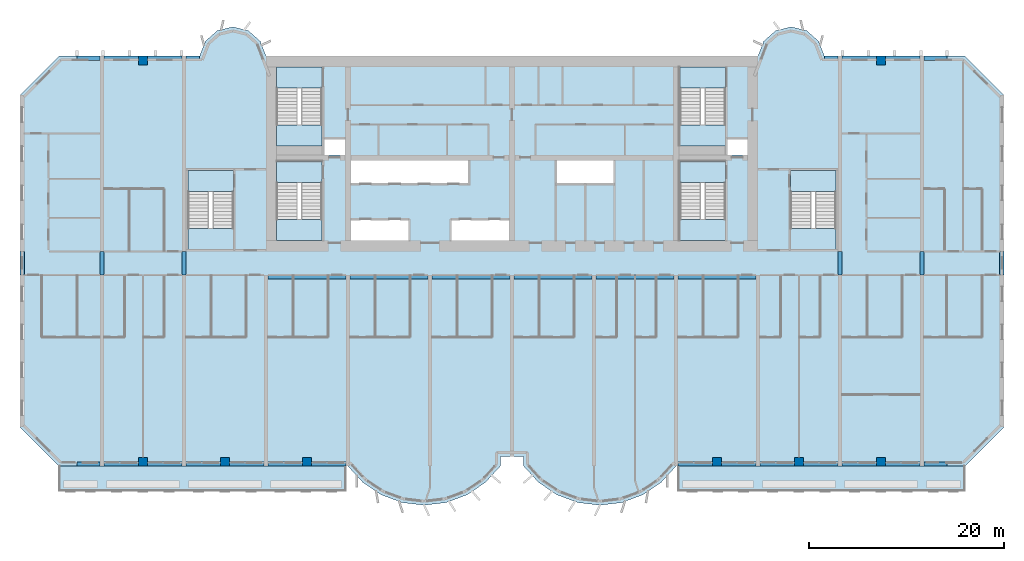
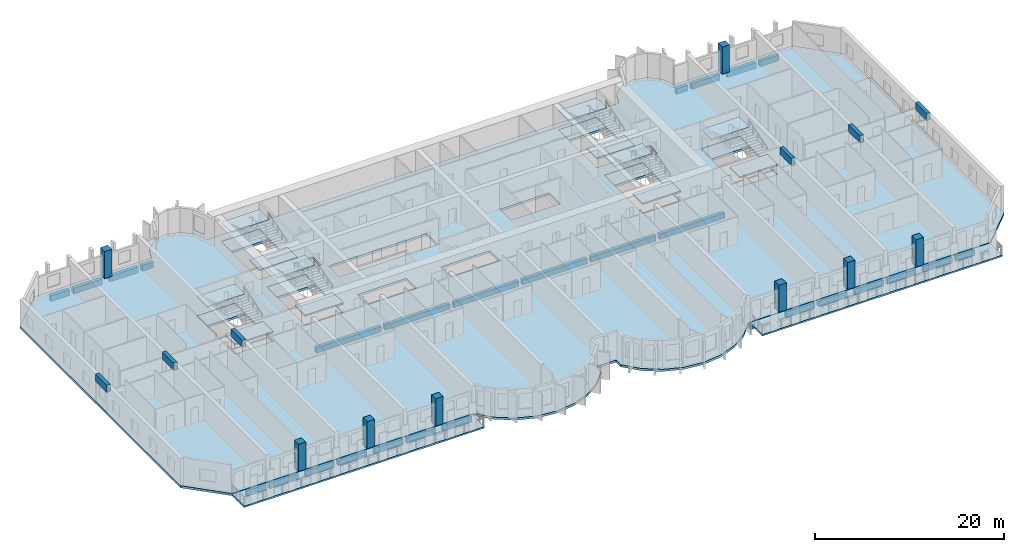
# One storey, part 1 of 15: 34 beams, 21 slabs, 8 columns, 6 elements without a shape of their own.
"""IFC4 building model written with IfcOpenShell, lengths in metres."""

import ifcopenshell
import ifcopenshell.guid

model = None  # the IFC model being written
_history = None  # IfcOwnerHistory: only IFC2X3 demands one
_inside = {}  # id of a spatial element -> (the spatial element, [elements in it])
_under = {}  # id of a project, library or spatial element -> (it, [spatial elements below it])
_declared = {}  # id of a project -> (the project, [libraries it declares])
_typed = {}  # id of a type object -> (the type object, [elements of that type])
_made_of = {}  # id of a material, layer set ... -> (it, [elements and type objects made of it])


def new_model(schema):
    """Start an empty IFC model of exactly this schema.

    Asked for "IFC4X3", IfcOpenShell would pick the latest addendum, in which some entities
    have other attributes; the version numbers below select the first issue.
    IFC2X3 requires an IfcOwnerHistory on every rooted entity: one is made here for all.
    """
    global model, _history
    if schema == "IFC4X3":
        model = ifcopenshell.file(schema_version=(4, 3, 0, 0))
    else:
        model = ifcopenshell.file(schema=schema)
    _inside.clear()
    _under.clear()
    _declared.clear()
    _typed.clear()
    _made_of.clear()
    _history = None
    if model.schema == "IFC2X3":
        org = make("IfcOrganization", Name="unknown")
        user = make(
            "IfcPersonAndOrganization",
            ThePerson=make("IfcPerson", FamilyName="unknown"),
            TheOrganization=org,
        )
        app = make(
            "IfcApplication",
            ApplicationDeveloper=org,
            Version="unknown",
            ApplicationFullName="unknown",
            ApplicationIdentifier="unknown",
        )
        _history = make(
            "IfcOwnerHistory",
            OwningUser=user,
            OwningApplication=app,
            ChangeAction="ADDED",
            CreationDate=0,
        )
    return model


def make(cls, **values):
    """One entity of the class cls with the attributes given. An attribute that is None is left unset."""
    return model.create_entity(
        cls, **{name: value for name, value in values.items() if value is not None}
    )


def rooted(cls, **values):
    """An entity with a GlobalId (a new one), such as an element, a storey or a relation."""
    return make(cls, GlobalId=ifcopenshell.guid.new(), OwnerHistory=_history, **values)


def si_unit(unit_type, name, prefix=None):
    """IfcSIUnit, for example si_unit("LENGTHUNIT", "METRE", prefix="MILLI")."""
    return make("IfcSIUnit", UnitType=unit_type, Prefix=prefix, Name=name)


def assignment(units):
    """IfcUnitAssignment: the units of a project."""
    return None if units is None else make("IfcUnitAssignment", Units=units)


def point(xyz):
    """IfcCartesianPoint."""
    return None if xyz is None else make("IfcCartesianPoint", Coordinates=xyz)


def direction(xyz):
    """IfcDirection."""
    return None if xyz is None else make("IfcDirection", DirectionRatios=xyz)


def frame(location, z_axis=None, x_axis=None):
    """IfcAxis2Placement3D, a coordinate frame: its origin and axes. An axis left out is left unset."""
    return make(
        "IfcAxis2Placement3D",
        Location=point(location),
        Axis=direction(z_axis),
        RefDirection=direction(x_axis),
    )


def frame_2d(location, x_axis=None):
    """IfcAxis2Placement2D, a coordinate frame in the plane: its origin and x axis."""
    return make(
        "IfcAxis2Placement2D", Location=point(location), RefDirection=direction(x_axis)
    )


def origin():
    """The frame at (0, 0, 0) with its axes left unset."""
    return frame((0.0, 0.0, 0.0))


def origin_2d():
    """The frame at (0, 0) in the plane with its x axis left unset."""
    return frame_2d((0.0, 0.0))


def place(relative_to, where):
    """IfcLocalPlacement: puts the frame where relative to a parent placement (None: the world)."""
    return make(
        "IfcLocalPlacement", PlacementRelTo=relative_to, RelativePlacement=where
    )


def context(
    kind, dimensions, precision=None, world=None, true_north=None, identifier=None
):
    """IfcGeometricRepresentationContext, for example the 3D "Model" context."""
    return make(
        "IfcGeometricRepresentationContext",
        ContextIdentifier=identifier,
        ContextType=kind,
        CoordinateSpaceDimension=dimensions,
        Precision=precision,
        WorldCoordinateSystem=world,
        TrueNorth=true_north,
    )


def subcontext(parent, identifier, kind, view, scale=None):
    """IfcGeometricRepresentationSubContext, for example "Body" below "Model"."""
    return make(
        "IfcGeometricRepresentationSubContext",
        ContextIdentifier=identifier,
        ContextType=kind,
        ParentContext=parent,
        TargetScale=scale,
        TargetView=view,
    )


def project(units=None, contexts=None):
    """IfcProject with its units and contexts."""
    return rooted(
        "IfcProject",
        Name="project",
        RepresentationContexts=contexts,
        UnitsInContext=assignment(units),
    )


def spatial(cls, under=None, at=None, **own):
    """A site, building, storey or space (cls), placed at a placement, below another one or the project."""
    s = rooted(cls, ObjectPlacement=at, **own)
    if under is not None:
        _under.setdefault(under.id(), (under, []))[1].append(s)
    return s


def polyline(points):
    """IfcPolyline through the points."""
    return make("IfcPolyline", Points=[point(p) for p in points])


def profile(cls, at=None, kind="AREA", **sizes):
    """A parametric profile (cls). Its sizes go by their IFC names, for example OverallWidth=200.0."""
    return make(cls, ProfileType=kind, Position=at, **sizes)


def rectangle(**sizes):
    """IfcRectangleProfileDef."""
    return profile("IfcRectangleProfileDef", **sizes)


def outline(outer, holes=None, kind="AREA"):
    """IfcArbitraryClosedProfileDef: a profile drawn as a closed curve; with holes, ...WithVoids."""
    if holes is None:
        return make("IfcArbitraryClosedProfileDef", ProfileType=kind, OuterCurve=outer)
    return make(
        "IfcArbitraryProfileDefWithVoids",
        ProfileType=kind,
        OuterCurve=outer,
        InnerCurves=holes,
    )


def extrude(swept, where, along, depth):
    """IfcExtrudedAreaSolid: the profile swept, set in the frame where, extruded along a direction by depth."""
    return make(
        "IfcExtrudedAreaSolid",
        SweptArea=swept,
        Position=where,
        ExtrudedDirection=direction(along),
        Depth=depth,
    )


def shape(context_of_items, identifier, shape_type, items):
    """IfcShapeRepresentation: the items that make up one representation, for example the "Body"."""
    return make(
        "IfcShapeRepresentation",
        ContextOfItems=context_of_items,
        RepresentationIdentifier=identifier,
        RepresentationType=shape_type,
        Items=items,
    )


def source(mapping_origin, context_of_items, identifier, shape_type, items):
    """IfcRepresentationMap: a shape defined once, which mapped items show again and again."""
    return make(
        "IfcRepresentationMap",
        MappingOrigin=mapping_origin,
        MappedRepresentation=shape(context_of_items, identifier, shape_type, items),
    )


def transform(
    local_origin,
    x_axis=None,
    y_axis=None,
    z_axis=None,
    scale=None,
    scale2=None,
    scale3=None,
    uniform=True,
):
    """IfcCartesianTransformationOperator3D, or its non-uniform kind. x_axis, y_axis, z_axis: its Axis1, 2, 3."""
    if uniform:
        return make(
            "IfcCartesianTransformationOperator3D",
            Axis1=direction(x_axis),
            Axis2=direction(y_axis),
            LocalOrigin=point(local_origin),
            Scale=scale,
            Axis3=direction(z_axis),
        )
    return make(
        "IfcCartesianTransformationOperator3DnonUniform",
        Axis1=direction(x_axis),
        Axis2=direction(y_axis),
        LocalOrigin=point(local_origin),
        Scale=scale,
        Axis3=direction(z_axis),
        Scale2=scale2,
        Scale3=scale3,
    )


def mapped(mapping_source, mapping_target):
    """IfcMappedItem: shows the shape of a source again, moved by a transform."""
    return make(
        "IfcMappedItem", MappingSource=mapping_source, MappingTarget=mapping_target
    )


def material(Name=None, Category=None):
    """IfcMaterial."""
    return make("IfcMaterial", Name=Name, Category=Category)


def layer(
    of_material, thickness, ventilated=None, Name=None, Category=None, Priority=None
):
    """IfcMaterialLayer: one layer of a wall or slab, of a material (None: an air gap)."""
    return make(
        "IfcMaterialLayer",
        Material=of_material,
        LayerThickness=thickness,
        IsVentilated=ventilated,
        Name=Name,
        Category=Category,
        Priority=Priority,
    )


def layer_set(layers, Name=None):
    """IfcMaterialLayerSet."""
    return make("IfcMaterialLayerSet", MaterialLayers=layers, LayerSetName=Name)


def material_profile(
    of_material, cross_section, Name=None, Category=None, Priority=None
):
    """IfcMaterialProfile: a cross section and its material."""
    return make(
        "IfcMaterialProfile",
        Name=Name,
        Material=of_material,
        Profile=cross_section,
        Priority=Priority,
        Category=Category,
    )


def profile_set(profiles, Name=None, composite=None):
    """IfcMaterialProfileSet."""
    return make(
        "IfcMaterialProfileSet",
        Name=Name,
        MaterialProfiles=profiles,
        CompositeProfile=composite,
    )


def made_of(thing, what):
    """Note that an element or type object is made of a material, layer set ...; save() writes the relation."""
    if what is not None:
        _made_of.setdefault(what.id(), (what, []))[1].append(thing)
    return thing


def type_object(cls, material=None, **own):
    """A type object (cls), such as IfcWallType, which elements share."""
    return made_of(rooted(cls, **own), material)


def element(
    cls,
    number,
    at=None,
    inside=None,
    cuts=None,
    type_object=None,
    material=None,
    context=None,
    identifier="Body",
    shape_type=None,
    held_by="IfcProductDefinitionShape",
    body=None,
    shapes=None,
    **own,
):
    """One element of the class cls, such as IfcWall. Its Tag is "e" and its number.

    at: its placement. inside: the storey or other place that contains it. cuts: it is an
    opening in that element (IfcRelVoidsElement). A single representation is given by context,
    identifier, shape_type and body (its items); several are given by shapes. held_by: the class
    of the entity that holds the representations. save() writes the other relations.
    """
    e = rooted(cls, Tag="e%d" % number, ObjectPlacement=at, **own)
    if body is not None:
        shapes = [shape(context, identifier, shape_type, body)]
    if shapes is not None:
        e.Representation = make(held_by, Representations=shapes)
    if inside is not None:
        _inside.setdefault(inside.id(), (inside, []))[1].append(e)
    if cuts is not None:
        rooted(
            "IfcRelVoidsElement", RelatingBuildingElement=cuts, RelatedOpeningElement=e
        )
    if type_object is not None:
        _typed.setdefault(type_object.id(), (type_object, []))[1].append(e)
    return made_of(e, material)


def aggregate(whole, parts):
    """IfcRelAggregates: a whole, such as a stair, and the parts it consists of."""
    return rooted("IfcRelAggregates", RelatingObject=whole, RelatedObjects=parts)


def save(model, path):
    """Write the relations noted so far, then the file.

    IfcRelAggregates (storeys below a building ...), IfcRelContainedInSpatialStructure (elements
    in a storey), IfcRelDefinesByType, IfcRelAssociatesMaterial and IfcRelDeclares: one each for
    every whole, place, type object, material and project.
    """
    for whole, parts in _under.values():
        aggregate(whole, parts)
    for where, things in _inside.values():
        rooted(
            "IfcRelContainedInSpatialStructure",
            RelatedElements=things,
            RelatingStructure=where,
        )
    for kind, things in _typed.values():
        rooted("IfcRelDefinesByType", RelatedObjects=things, RelatingType=kind)
    for what, things in _made_of.values():
        rooted("IfcRelAssociatesMaterial", RelatedObjects=things, RelatingMaterial=what)
    for by, libraries in _declared.values():
        rooted("IfcRelDeclares", RelatingContext=by, RelatedDefinitions=libraries)
    model.write(path)


model = new_model("IFC4")

# Units and contexts
model_context = context("Model", 3, precision=1e-05, world=origin(), true_north=direction((0.0, 1.0)))
body_context = subcontext(model_context, "Body", "Model", "MODEL_VIEW")
ifc_project = project(units=[si_unit("LENGTHUNIT", "METRE"), si_unit("AREAUNIT", "SQUARE_METRE"), si_unit("VOLUMEUNIT", "CUBIC_METRE"), si_unit("PLANEANGLEUNIT", "RADIAN"), si_unit("MASSUNIT", "GRAM", prefix="KILO")], contexts=[model_context])

# Site, building, storey
site_placement = place(None, origin())
site = spatial("IfcSite", under=ifc_project, at=site_placement, CompositionType="ELEMENT")
building_placement = place(site_placement, origin())
building = spatial("IfcBuilding", under=site, at=building_placement, Name="Vanashikhar Sky Hotel", CompositionType="ELEMENT")
storey_placement = place(building_placement, frame((0.0, 0.0, 39.199951171875)))
storey = spatial("IfcBuildingStorey", under=building, at=storey_placement, Name="L08", CompositionType="ELEMENT", Elevation=39.199951171875)

# Columns
ifc_material_1 = material(Name="Concrete M70", Category="concrete")
ifc_material_profile_1 = material_profile(ifc_material_1, rectangle(XDim=0.89990234375, YDim=0.89990234375, at=origin_2d()))
ifc_profile_set_1 = profile_set([ifc_material_profile_1], Name="RC 900x900 column Concrete M70")
column_type = type_object("IfcColumnType", Name="RC 900x900 column Concrete M70", PredefinedType="COLUMN", material=ifc_profile_set_1)
shared_shape_1 = source(origin(), body_context, "Body", "SweptSolid", [
    extrude(rectangle(XDim=0.89990234375, YDim=0.89990234375, at=origin_2d()), origin(), (0.0, 0.0, 1.0), 3.52001953125),
])
for number, where, z_axis, x_axis, name in (
    (1, (12.60009765625, 0.449951171875, 0.0), (0.0, 0.0, 1.0), (1.0, 0.0, 0.0), "CL-L08-CF02"),
    (2, (21.0, 0.449951171875, 0.0), (0.0, 0.0, 1.0), (1.0, 0.0, 0.0), "CL-L08-CF03"),
    (3, (29.39990234375, 0.449951171875, 0.0), (0.0, 0.0, 1.0), (1.0, 0.0, 0.0), "CL-L08-CF04"),
    (4, (71.39990234375, 0.449951171875, 0.0), (0.0, 0.0, 1.0), (1.0, 0.0, 0.0), "CL-L08-CF09"),
    (5, (79.800048828125, 0.449951171875, 0.0), (0.0, 0.0, 1.0), (1.0, 0.0, 0.0), "CL-L08-CF10"),
    (6, (88.199951171875, 0.449951171875, 0.0), (0.0, 0.0, 1.0), (1.0, 0.0, 0.0), "CL-L08-CF11"),
    (7, (12.60009765625, 41.550048828125, 0.0), (0.0, 0.0, 1.0), (1.0, 0.0, 0.0), "CL-L08-CR02"),
    (8, (88.199951171875, 41.550048828125, 0.0), (0.0, 0.0, 1.0), (1.0, 0.0, 0.0), "CL-L08-CR11"),
):
    element("IfcColumn", number, at=place(storey_placement, frame(where, z_axis=z_axis, x_axis=x_axis)), inside=storey, type_object=column_type, Name=name, PredefinedType="COLUMN", context=body_context, shape_type="MappedRepresentation", body=[
        mapped(shared_shape_1, transform((0.0, 0.0, 0.0), scale=1.0)),
    ])

# Beams
ifc_material_2 = material(Name="Concrete M50", Category="concrete")
ifc_material_profile_2 = material_profile(ifc_material_2, rectangle(XDim=0.449951171875, YDim=0.89990234375, at=origin_2d()))
ifc_profile_set_2 = profile_set([ifc_material_profile_2], Name="RC 450x900 beam Concrete M50")
beam_type_1 = type_object("IfcBeamType", Name="RC 450x900 beam Concrete M50", PredefinedType="LINTEL", material=ifc_profile_set_2)
shared_shape_2 = source(origin(), body_context, "Body", "SweptSolid", [
    extrude(rectangle(XDim=0.449951171875, YDim=0.89990234375, at=origin_2d()), origin(), (0.0, 0.0, 1.0), 2.39990234375),
])
for number, where, z_axis, x_axis, name in (
    (9, (0.22509765625, 19.60009765625, 3.070068359375), (0.0, 1.0, 0.0), (-1.0, 0.0, 0.0), "LB-L08-XW01"),
    (10, (8.39990234375, 19.60009765625, 3.070068359375), (0.0, 1.0, 0.0), (-1.0, 0.0, 0.0), "LB-L08-XW02"),
    (11, (16.800048828125, 19.60009765625, 3.070068359375), (0.0, 1.0, 0.0), (-1.0, 0.0, 0.0), "LB-L08-XW03"),
    (12, (84.0, 19.60009765625, 3.070068359375), (0.0, 1.0, 0.0), (-1.0, 0.0, 0.0), "LB-L08-XW11"),
    (13, (92.39990234375, 19.60009765625, 3.070068359375), (0.0, 1.0, 0.0), (-1.0, 0.0, 0.0), "LB-L08-XW12"),
    (14, (100.574951171875, 19.60009765625, 3.070068359375), (0.0, 1.0, 0.0), (-1.0, 0.0, 0.0), "LB-L08-XW13"),
):
    element("IfcBeam", number, at=place(storey_placement, frame(where, z_axis=z_axis, x_axis=x_axis)), inside=storey, type_object=beam_type_1, Name=name, PredefinedType="LINTEL", context=body_context, shape_type="MappedRepresentation", body=[
        mapped(shared_shape_2, transform((0.0, 0.0, 0.0), scale=1.0)),
    ])
ifc_material_profile_3 = material_profile(ifc_material_2, rectangle(XDim=0.449951171875, YDim=0.75, at=origin_2d()))
ifc_profile_set_3 = profile_set([ifc_material_profile_3], Name="RC 450x750 beam Concrete M50")
beam_type_2 = type_object("IfcBeamType", Name="RC 450x750 beam Concrete M50", PredefinedType="SPANDREL", material=ifc_profile_set_3)
shared_shape_3 = source(origin(), body_context, "Body", "SweptSolid", [
    extrude(rectangle(XDim=0.449951171875, YDim=0.75, at=origin_2d()), origin(), (0.0, 0.0, 1.0), 3.52490234375),
])
for number, where, z_axis, x_axis, name in (
    (15, (8.625, 0.22509765625, -0.655029296875), (1.0, 0.0, 0.0), (0.0, 1.0, 0.0), "EB-L08-F01"),
    (16, (13.050048828125, 0.22509765625, -0.655029296875), (1.0, 0.0, 0.0), (0.0, 1.0, 0.0), "EB-L08-F02"),
    (17, (25.425048828125, 0.22509765625, -0.655029296875), (1.0, 0.0, 0.0), (0.0, 1.0, 0.0), "EB-L08-F05"),
    (18, (29.85009765625, 0.22509765625, -0.655029296875), (1.0, 0.0, 0.0), (0.0, 1.0, 0.0), "EB-L08-F06"),
    (19, (67.425048828125, 0.22509765625, -0.655029296875), (1.0, 0.0, 0.0), (0.0, 1.0, 0.0), "EB-L08-F08"),
    (20, (71.85009765625, 0.22509765625, -0.655029296875), (1.0, 0.0, 0.0), (0.0, 1.0, 0.0), "EB-L08-F09"),
    (21, (80.25, 0.22509765625, -0.655029296875), (1.0, 0.0, 0.0), (0.0, 1.0, 0.0), "EB-L08-F11"),
    (22, (84.22509765625, 0.22509765625, -0.655029296875), (1.0, 0.0, 0.0), (0.0, 1.0, 0.0), "EB-L08-F12"),
    (23, (8.625, 41.77490234375, -0.655029296875), (1.0, 0.0, 0.0), (0.0, 1.0, 0.0), "EB-L08-R01"),
    (24, (13.050048828125, 41.77490234375, -0.655029296875), (1.0, 0.0, 0.0), (0.0, 1.0, 0.0), "EB-L08-R02"),
    (25, (84.22509765625, 41.77490234375, -0.655029296875), (1.0, 0.0, 0.0), (0.0, 1.0, 0.0), "EB-L08-R05"),
):
    element("IfcBeam", number, at=place(storey_placement, frame(where, z_axis=z_axis, x_axis=x_axis)), inside=storey, type_object=beam_type_2, Name=name, PredefinedType="SPANDREL", context=body_context, shape_type="MappedRepresentation", body=[
        mapped(shared_shape_3, transform((0.0, 0.0, 0.0), scale=1.0)),
    ])
shared_shape_4 = source(origin(), body_context, "Body", "SweptSolid", [
    extrude(rectangle(XDim=0.449951171875, YDim=0.75, at=origin_2d()), origin(), (0.0, 0.0, 1.0), 3.525146484375),
])
for number, where, z_axis, x_axis, name in (
    (26, (17.02490234375, 0.22509765625, -0.655029296875), (1.0, 0.0, 0.0), (0.0, 1.0, 0.0), "EB-L08-F03"),
    (27, (21.449951171875, 0.22509765625, -0.655029296875), (1.0, 0.0, 0.0), (0.0, 1.0, 0.0), "EB-L08-F04"),
    (28, (75.824951171875, 0.22509765625, -0.655029296875), (1.0, 0.0, 0.0), (0.0, 1.0, 0.0), "EB-L08-F10"),
    (29, (88.64990234375, 0.22509765625, -0.655029296875), (1.0, 0.0, 0.0), (0.0, 1.0, 0.0), "EB-L08-F13"),
    (30, (88.64990234375, 41.77490234375, -0.655029296875), (1.0, 0.0, 0.0), (0.0, 1.0, 0.0), "EB-L08-R06"),
):
    element("IfcBeam", number, at=place(storey_placement, frame(where, z_axis=z_axis, x_axis=x_axis)), inside=storey, type_object=beam_type_2, Name=name, PredefinedType="SPANDREL", context=body_context, shape_type="MappedRepresentation", body=[
        mapped(shared_shape_4, transform((0.0, 0.0, 0.0), scale=1.0)),
    ])
ifc_material_profile_4 = material_profile(ifc_material_2, rectangle(XDim=0.449951171875, YDim=0.75, at=origin_2d()))
ifc_profile_set_4 = profile_set([ifc_material_profile_4], Name="RC 450x750 cantilever beam Concrete M50")
beam_type_3 = type_object("IfcBeamType", Name="RC 450x750 cantilever beam Concrete M50", PredefinedType="SPANDREL", material=ifc_profile_set_4)
shared_shape_5 = source(origin(), body_context, "Body", "SweptSolid", [
    extrude(rectangle(XDim=0.449951171875, YDim=0.75, at=origin_2d()), origin(), (0.0, 0.0, 1.0), 2.330078125),
])
for number, where, z_axis, x_axis, name in (
    (31, (5.844970703125, 0.22509765625, -0.655029296875), (1.0, 0.0, 0.0), (0.0, 1.0, 0.0), "EB-L08-F07"),
    (32, (92.625, 0.22509765625, -0.655029296875), (1.0, 0.0, 0.0), (0.0, 1.0, 0.0), "EB-L08-F14"),
    (33, (5.844970703125, 41.77490234375, -0.655029296875), (1.0, 0.0, 0.0), (0.0, 1.0, 0.0), "EB-L08-R03"),
    (34, (92.625, 41.77490234375, -0.655029296875), (1.0, 0.0, 0.0), (0.0, 1.0, 0.0), "EB-L08-R08"),
):
    element("IfcBeam", number, at=place(storey_placement, frame(where, z_axis=z_axis, x_axis=x_axis)), inside=storey, type_object=beam_type_3, Name=name, PredefinedType="SPANDREL", context=body_context, shape_type="MappedRepresentation", body=[
        mapped(shared_shape_5, transform((0.0, 0.0, 0.0), scale=1.0)),
    ])
shared_shape_6 = source(origin(), body_context, "Body", "SweptSolid", [
    extrude(rectangle(XDim=0.449951171875, YDim=0.75, at=origin_2d()), origin(), (0.0, 0.0, 1.0), 1.375),
])
for number, where, z_axis, x_axis, name in (
    (35, (17.02490234375, 41.77490234375, -0.655029296875), (1.0, 0.0, 0.0), (0.0, 1.0, 0.0), "EB-L08-R04"),
    (36, (82.39990234375, 41.77490234375, -0.655029296875), (1.0, 0.0, 0.0), (0.0, 1.0, 0.0), "EB-L08-R07"),
):
    element("IfcBeam", number, at=place(storey_placement, frame(where, z_axis=z_axis, x_axis=x_axis)), inside=storey, type_object=beam_type_3, Name=name, PredefinedType="SPANDREL", context=body_context, shape_type="MappedRepresentation", body=[
        mapped(shared_shape_6, transform((0.0, 0.0, 0.0), scale=1.0)),
    ])
ifc_material_profile_5 = material_profile(ifc_material_2, rectangle(XDim=0.449951171875, YDim=0.699951171875, at=origin_2d()))
ifc_profile_set_5 = profile_set([ifc_material_profile_5], Name="RC 450x700 beam Concrete M50")
beam_type_4 = type_object("IfcBeamType", Name="RC 450x700 beam Concrete M50", PredefinedType="BEAM", material=ifc_profile_set_5)
shared_shape_7 = source(origin(), body_context, "Body", "SweptSolid", [
    extrude(rectangle(XDim=0.449951171875, YDim=0.699951171875, at=origin_2d()), origin(), (0.0, 0.0, 1.0), 7.949951171875),
])
for number, where, z_axis, x_axis, name in (
    (37, (25.425048828125, 19.375, -0.6298828125), (1.0, 0.0, 0.0), (0.0, 1.0, 0.0), "CB-L08-01"),
    (38, (33.824951171875, 19.375, -0.6298828125), (1.0, 0.0, 0.0), (0.0, 1.0, 0.0), "CB-L08-02"),
    (39, (42.22509765625, 19.375, -0.6298828125), (1.0, 0.0, 0.0), (0.0, 1.0, 0.0), "CB-L08-03"),
    (40, (50.625, 19.375, -0.6298828125), (1.0, 0.0, 0.0), (0.0, 1.0, 0.0), "CB-L08-04"),
    (41, (67.425048828125, 19.375, -0.6298828125), (1.0, 0.0, 0.0), (0.0, 1.0, 0.0), "CB-L08-06"),
):
    element("IfcBeam", number, at=place(storey_placement, frame(where, z_axis=z_axis, x_axis=x_axis)), inside=storey, type_object=beam_type_4, Name=name, PredefinedType="BEAM", context=body_context, shape_type="MappedRepresentation", body=[
        mapped(shared_shape_7, transform((0.0, 0.0, 0.0), scale=1.0)),
    ])
shared_shape_8 = source(origin(), body_context, "Body", "SweptSolid", [
    extrude(rectangle(XDim=0.449951171875, YDim=0.699951171875, at=origin_2d()), origin(), (0.0, 0.0, 1.0), 7.9501953125),
])
beam_placement = place(storey_placement, frame((59.02490234375, 19.375, -0.6298828125), z_axis=(1.0, 0.0, 0.0), x_axis=(0.0, 1.0, 0.0)))
element("IfcBeam", 42, at=beam_placement, inside=storey, type_object=beam_type_4, Name="CB-L08-05", PredefinedType="BEAM", context=body_context, shape_type="MappedRepresentation", body=[
    mapped(shared_shape_8, transform((0.0, 0.0, 0.0), scale=1.0)),
])

# Slabs
ifc_material_3 = material(Name="Concrete M40", Category="concrete")
ifc_layer_1 = layer(ifc_material_3, 0.280029296875)
ifc_layer_set_1 = layer_set([ifc_layer_1], Name="Floor slab 280 mm")
slab_type_1 = type_object("IfcSlabType", Name="Floor slab 280 mm", PredefinedType="FLOOR", material=ifc_layer_set_1)
shared_shape_9 = source(origin(), body_context, "Body", "SweptSolid", [
    extrude(outline(polyline([(49.199951171875, 0.0), (49.199951171875, 1.0), (51.60009765625, 1.0), (51.60009765625, 0.0), (53.133056640625, -1.674072265625), (55.01708984375, -2.94189453125), (57.14599609375, -3.73193359375), (59.39990234375, -4.0), (61.654052734375, -3.73193359375), (63.782958984375, -2.94189453125), (65.6669921875, -1.674072265625), (67.199951171875, 0.0), (96.800048828125, 0.0), (100.800048828125, 4.0), (100.800048828125, 38.0), (96.800048828125, 42.0), (82.39990234375, 42.0), (81.81494140625, 43.527099609375), (80.587890625, 44.610107421875), (79.0, 45.0), (77.412109375, 44.610107421875), (76.18505859375, 43.527099609375), (75.60009765625, 42.0), (25.199951171875, 42.0), (24.614990234375, 43.527099609375), (23.387939453125, 44.610107421875), (21.800048828125, 45.0), (20.2119140625, 44.610107421875), (18.985107421875, 43.527099609375), (18.39990234375, 42.0), (4.0, 42.0), (0.0, 38.0), (0.0, 4.0), (4.0, 0.0), (33.60009765625, 0.0), (35.133056640625, -1.674072265625), (37.01708984375, -2.94189453125), (39.14599609375, -3.73193359375), (41.39990234375, -4.0), (43.654052734375, -3.73193359375), (45.782958984375, -2.94189453125), (47.6669921875, -1.674072265625), (49.199951171875, 0.0)]), holes=[polyline([(33.300048828125, 33.60009765625), (31.050048828125, 33.60009765625), (31.050048828125, 31.89990234375), (33.300048828125, 31.89990234375), (33.300048828125, 33.60009765625)]), polyline([(33.89990234375, 25.199951171875), (33.89990234375, 23.10009765625), (39.89990234375, 23.10009765625), (39.89990234375, 25.199951171875), (33.89990234375, 25.199951171875)]), polyline([(33.89990234375, 31.300048828125), (33.89990234375, 29.0), (45.89990234375, 29.0), (45.89990234375, 31.300048828125), (33.89990234375, 31.300048828125)]), polyline([(44.10009765625, 25.199951171875), (44.10009765625, 23.10009765625), (50.10009765625, 23.10009765625), (50.10009765625, 25.199951171875), (44.10009765625, 25.199951171875)]), polyline([(54.89990234375, 31.300048828125), (54.89990234375, 29.0), (60.89990234375, 29.0), (60.89990234375, 31.300048828125), (54.89990234375, 31.300048828125)]), polyline([(74.5, 33.60009765625), (72.35009765625, 33.60009765625), (72.35009765625, 31.89990234375), (74.5, 31.89990234375), (74.5, 33.60009765625)]), polyline([(30.949951171875, 23.10009765625), (30.949951171875, 31.199951171875), (26.300048828125, 31.199951171875), (26.300048828125, 23.10009765625), (30.949951171875, 23.10009765625)]), polyline([(72.25, 23.10009765625), (72.25, 31.199951171875), (67.60009765625, 31.199951171875), (67.60009765625, 23.10009765625), (72.25, 23.10009765625)]), polyline([(30.949951171875, 32.800048828125), (30.949951171875, 40.89990234375), (26.300048828125, 40.89990234375), (26.300048828125, 32.800048828125), (30.949951171875, 32.800048828125)]), polyline([(72.25, 32.800048828125), (72.25, 40.89990234375), (67.60009765625, 40.89990234375), (67.60009765625, 32.800048828125), (72.25, 32.800048828125)]), polyline([(83.60009765625, 22.199951171875), (83.60009765625, 30.300048828125), (78.949951171875, 30.300048828125), (78.949951171875, 22.199951171875), (83.60009765625, 22.199951171875)]), polyline([(21.85009765625, 22.199951171875), (21.85009765625, 30.300048828125), (17.199951171875, 30.300048828125), (17.199951171875, 22.199951171875), (21.85009765625, 22.199951171875)])]), origin(), (0.0, 0.0, 1.0), 0.280029296875),
])
slab_1_placement = place(storey_placement, frame((0.0, 0.0, -0.280029296875)))
element("IfcSlab", 43, at=slab_1_placement, inside=storey, type_object=slab_type_1, Name="Floor slab L08", PredefinedType="FLOOR", context=body_context, shape_type="MappedRepresentation", body=[
    mapped(shared_shape_9, transform((0.0, 0.0, 0.0), scale=1.0)),
])
ifc_layer_2 = layer(ifc_material_3, 0.199951171875)
ifc_layer_set_2 = layer_set([ifc_layer_2], Name="Balcony slab 200 mm")
slab_type_2 = type_object("IfcSlabType", Name="Balcony slab 200 mm", PredefinedType="USERDEFINED", material=ifc_layer_set_2)
shared_shape_10 = source(origin(), body_context, "Body", "SweptSolid", [
    extrude(outline(polyline([(4.0, -2.60009765625), (33.39990234375, -2.60009765625), (33.39990234375, 0.0), (4.0, 0.0), (4.0, -2.60009765625)])), origin(), (0.0, 0.0, 1.0), 0.199951171875),
])
slab_2_placement = place(storey_placement, frame((0.0, 0.0, -0.25)))
element("IfcSlab", 44, at=slab_2_placement, inside=storey, type_object=slab_type_2, Name="Balcony slab L08 1", ObjectType="BALCONY", PredefinedType="USERDEFINED", context=body_context, shape_type="MappedRepresentation", body=[
    mapped(shared_shape_10, transform((0.0, 0.0, 0.0), scale=1.0)),
])
shared_shape_11 = source(origin(), body_context, "Body", "SweptSolid", [
    extrude(outline(polyline([(67.39990234375, -2.60009765625), (96.800048828125, -2.60009765625), (96.800048828125, 0.0), (67.39990234375, 0.0), (67.39990234375, -2.60009765625)])), origin(), (0.0, 0.0, 1.0), 0.199951171875),
])
slab_3_placement = place(storey_placement, frame((0.0, 0.0, -0.25)))
element("IfcSlab", 45, at=slab_3_placement, inside=storey, type_object=slab_type_2, Name="Balcony slab L08 2", ObjectType="BALCONY", PredefinedType="USERDEFINED", context=body_context, shape_type="MappedRepresentation", body=[
    mapped(shared_shape_11, transform((0.0, 0.0, 0.0), scale=1.0)),
])

# Stair, slabs
stair_type = type_object("IfcStairType", Name="Exit stair 2150", PredefinedType="DOUBLE_RETURN_STAIR", material=ifc_material_3)
stair_1_placement = place(storey_placement, origin())
stair_1 = element("IfcStair", 46, at=stair_1_placement, inside=storey, type_object=stair_type, Name="L08 Exit stair 1", PredefinedType="DOUBLE_RETURN_STAIR")
ifc_layer_3 = layer(ifc_material_3, 0.199951171875)
ifc_layer_set_3 = layer_set([ifc_layer_3], Name="Stair landing 200")
slab_type_3 = type_object("IfcSlabType", Name="Stair landing 200", PredefinedType="LANDING", material=ifc_layer_set_3)
shared_shape_12 = source(origin(), body_context, "Body", "SweptSolid", [
    extrude(outline(polyline([(30.949951171875, 29.050048828125), (30.949951171875, 31.199951171875), (26.300048828125, 31.199951171875), (26.300048828125, 29.050048828125), (30.949951171875, 29.050048828125)])), origin(), (0.0, 0.0, 1.0), 0.199951171875),
])
slab_4_placement = place(storey_placement, frame((0.0, 0.0, 2.33349609375)))
slab_4 = element("IfcSlab", 47, at=slab_4_placement, type_object=slab_type_3, Name="ST-C1 landing 2", PredefinedType="LANDING", context=body_context, shape_type="MappedRepresentation", body=[
    mapped(shared_shape_12, transform((0.0, 0.0, 0.0), scale=1.0)),
])
shared_shape_13 = source(origin(), body_context, "Body", "SweptSolid", [
    extrude(outline(polyline([(30.949951171875, 23.10009765625), (30.949951171875, 25.25), (26.300048828125, 25.25), (26.300048828125, 23.10009765625), (30.949951171875, 23.10009765625)])), origin(), (0.0, 0.0, 1.0), 0.199951171875),
])
slab_5_placement = place(storey_placement, frame((0.0, 0.0, 1.066650390625)))
slab_5 = element("IfcSlab", 48, at=slab_5_placement, type_object=slab_type_3, Name="ST-C1 landing 1", PredefinedType="LANDING", context=body_context, shape_type="MappedRepresentation", body=[
    mapped(shared_shape_13, transform((0.0, 0.0, 0.0), scale=1.0)),
])
aggregate(stair_1, [slab_5, slab_4])

# Slab
ifc_layer_4 = layer(ifc_material_3, 0.280029296875)
ifc_layer_set_4 = layer_set([ifc_layer_4], Name="Stair floor landing 280")
slab_type_4 = type_object("IfcSlabType", Name="Stair floor landing 280", PredefinedType="LANDING", material=ifc_layer_set_4)
shared_shape_14 = source(origin(), body_context, "Body", "SweptSolid", [
    extrude(outline(polyline([(30.949951171875, 29.050048828125), (30.949951171875, 31.199951171875), (26.300048828125, 31.199951171875), (26.300048828125, 29.050048828125), (30.949951171875, 29.050048828125)])), origin(), (0.0, 0.0, 1.0), 0.280029296875),
])
slab_6_placement = place(storey_placement, frame((0.0, 0.0, -0.280029296875)))
element("IfcSlab", 49, at=slab_6_placement, inside=storey, type_object=slab_type_4, Name="Exit stair 1 floor landing", PredefinedType="LANDING", context=body_context, shape_type="MappedRepresentation", body=[
    mapped(shared_shape_14, transform((0.0, 0.0, 0.0), scale=1.0)),
])

# Stair, slabs
stair_2_placement = place(storey_placement, origin())
stair_2 = element("IfcStair", 50, at=stair_2_placement, inside=storey, type_object=stair_type, Name="L08 Exit stair 2", PredefinedType="DOUBLE_RETURN_STAIR")
shared_shape_15 = source(origin(), body_context, "Body", "SweptSolid", [
    extrude(outline(polyline([(72.25, 29.050048828125), (72.25, 31.199951171875), (67.60009765625, 31.199951171875), (67.60009765625, 29.050048828125), (72.25, 29.050048828125)])), origin(), (0.0, 0.0, 1.0), 0.199951171875),
])
slab_7_placement = place(storey_placement, frame((0.0, 0.0, 2.33349609375)))
slab_7 = element("IfcSlab", 51, at=slab_7_placement, type_object=slab_type_3, Name="ST-C2 landing 2", PredefinedType="LANDING", context=body_context, shape_type="MappedRepresentation", body=[
    mapped(shared_shape_15, transform((0.0, 0.0, 0.0), scale=1.0)),
])
shared_shape_16 = source(origin(), body_context, "Body", "SweptSolid", [
    extrude(outline(polyline([(72.25, 23.10009765625), (72.25, 25.25), (67.60009765625, 25.25), (67.60009765625, 23.10009765625), (72.25, 23.10009765625)])), origin(), (0.0, 0.0, 1.0), 0.199951171875),
])
slab_8_placement = place(storey_placement, frame((0.0, 0.0, 1.066650390625)))
slab_8 = element("IfcSlab", 52, at=slab_8_placement, type_object=slab_type_3, Name="ST-C2 landing 1", PredefinedType="LANDING", context=body_context, shape_type="MappedRepresentation", body=[
    mapped(shared_shape_16, transform((0.0, 0.0, 0.0), scale=1.0)),
])
aggregate(stair_2, [slab_8, slab_7])

# Slab
shared_shape_17 = source(origin(), body_context, "Body", "SweptSolid", [
    extrude(outline(polyline([(72.25, 29.050048828125), (72.25, 31.199951171875), (67.60009765625, 31.199951171875), (67.60009765625, 29.050048828125), (72.25, 29.050048828125)])), origin(), (0.0, 0.0, 1.0), 0.280029296875),
])
slab_9_placement = place(storey_placement, frame((0.0, 0.0, -0.280029296875)))
element("IfcSlab", 53, at=slab_9_placement, inside=storey, type_object=slab_type_4, Name="Exit stair 2 floor landing", PredefinedType="LANDING", context=body_context, shape_type="MappedRepresentation", body=[
    mapped(shared_shape_17, transform((0.0, 0.0, 0.0), scale=1.0)),
])

# Stair, slabs
stair_3_placement = place(storey_placement, origin())
stair_3 = element("IfcStair", 54, at=stair_3_placement, inside=storey, type_object=stair_type, Name="L08 Exit stair 3", PredefinedType="DOUBLE_RETURN_STAIR")
shared_shape_18 = source(origin(), body_context, "Body", "SweptSolid", [
    extrude(outline(polyline([(21.85009765625, 28.14990234375), (21.85009765625, 30.300048828125), (17.199951171875, 30.300048828125), (17.199951171875, 28.14990234375), (21.85009765625, 28.14990234375)])), origin(), (0.0, 0.0, 1.0), 0.199951171875),
])
slab_10_placement = place(storey_placement, frame((0.0, 0.0, 2.33349609375)))
slab_10 = element("IfcSlab", 55, at=slab_10_placement, type_object=slab_type_3, Name="ST-W landing 2", PredefinedType="LANDING", context=body_context, shape_type="MappedRepresentation", body=[
    mapped(shared_shape_18, transform((0.0, 0.0, 0.0), scale=1.0)),
])
shared_shape_19 = source(origin(), body_context, "Body", "SweptSolid", [
    extrude(outline(polyline([(21.85009765625, 22.199951171875), (21.85009765625, 24.35009765625), (17.199951171875, 24.35009765625), (17.199951171875, 22.199951171875), (21.85009765625, 22.199951171875)])), origin(), (0.0, 0.0, 1.0), 0.199951171875),
])
slab_11_placement = place(storey_placement, frame((0.0, 0.0, 1.066650390625)))
slab_11 = element("IfcSlab", 56, at=slab_11_placement, type_object=slab_type_3, Name="ST-W landing 1", PredefinedType="LANDING", context=body_context, shape_type="MappedRepresentation", body=[
    mapped(shared_shape_19, transform((0.0, 0.0, 0.0), scale=1.0)),
])
aggregate(stair_3, [slab_11, slab_10])

# Slab
shared_shape_20 = source(origin(), body_context, "Body", "SweptSolid", [
    extrude(outline(polyline([(21.85009765625, 28.14990234375), (21.85009765625, 30.300048828125), (17.199951171875, 30.300048828125), (17.199951171875, 28.14990234375), (21.85009765625, 28.14990234375)])), origin(), (0.0, 0.0, 1.0), 0.280029296875),
])
slab_12_placement = place(storey_placement, frame((0.0, 0.0, -0.280029296875)))
element("IfcSlab", 57, at=slab_12_placement, inside=storey, type_object=slab_type_4, Name="Exit stair 3 floor landing", PredefinedType="LANDING", context=body_context, shape_type="MappedRepresentation", body=[
    mapped(shared_shape_20, transform((0.0, 0.0, 0.0), scale=1.0)),
])

# Stair, slabs
stair_4_placement = place(storey_placement, origin())
stair_4 = element("IfcStair", 58, at=stair_4_placement, inside=storey, type_object=stair_type, Name="L08 Exit stair 4", PredefinedType="DOUBLE_RETURN_STAIR")
shared_shape_21 = source(origin(), body_context, "Body", "SweptSolid", [
    extrude(outline(polyline([(83.60009765625, 28.14990234375), (83.60009765625, 30.300048828125), (78.949951171875, 30.300048828125), (78.949951171875, 28.14990234375), (83.60009765625, 28.14990234375)])), origin(), (0.0, 0.0, 1.0), 0.199951171875),
])
slab_13_placement = place(storey_placement, frame((0.0, 0.0, 2.33349609375)))
slab_13 = element("IfcSlab", 59, at=slab_13_placement, type_object=slab_type_3, Name="ST-E landing 2", PredefinedType="LANDING", context=body_context, shape_type="MappedRepresentation", body=[
    mapped(shared_shape_21, transform((0.0, 0.0, 0.0), scale=1.0)),
])
shared_shape_22 = source(origin(), body_context, "Body", "SweptSolid", [
    extrude(outline(polyline([(83.60009765625, 22.199951171875), (83.60009765625, 24.35009765625), (78.949951171875, 24.35009765625), (78.949951171875, 22.199951171875), (83.60009765625, 22.199951171875)])), origin(), (0.0, 0.0, 1.0), 0.199951171875),
])
slab_14_placement = place(storey_placement, frame((0.0, 0.0, 1.066650390625)))
slab_14 = element("IfcSlab", 60, at=slab_14_placement, type_object=slab_type_3, Name="ST-E landing 1", PredefinedType="LANDING", context=body_context, shape_type="MappedRepresentation", body=[
    mapped(shared_shape_22, transform((0.0, 0.0, 0.0), scale=1.0)),
])
aggregate(stair_4, [slab_14, slab_13])

# Slab
shared_shape_23 = source(origin(), body_context, "Body", "SweptSolid", [
    extrude(outline(polyline([(83.60009765625, 28.14990234375), (83.60009765625, 30.300048828125), (78.949951171875, 30.300048828125), (78.949951171875, 28.14990234375), (83.60009765625, 28.14990234375)])), origin(), (0.0, 0.0, 1.0), 0.280029296875),
])
slab_15_placement = place(storey_placement, frame((0.0, 0.0, -0.280029296875)))
element("IfcSlab", 61, at=slab_15_placement, inside=storey, type_object=slab_type_4, Name="Exit stair 4 floor landing", PredefinedType="LANDING", context=body_context, shape_type="MappedRepresentation", body=[
    mapped(shared_shape_23, transform((0.0, 0.0, 0.0), scale=1.0)),
])

# Stair, slabs
stair_5_placement = place(storey_placement, origin())
stair_5 = element("IfcStair", 62, at=stair_5_placement, inside=storey, type_object=stair_type, Name="L08 Exit stair 5", PredefinedType="DOUBLE_RETURN_STAIR")
shared_shape_24 = source(origin(), body_context, "Body", "SweptSolid", [
    extrude(outline(polyline([(30.949951171875, 38.75), (30.949951171875, 40.89990234375), (26.300048828125, 40.89990234375), (26.300048828125, 38.75), (30.949951171875, 38.75)])), origin(), (0.0, 0.0, 1.0), 0.199951171875),
])
slab_16_placement = place(storey_placement, frame((0.0, 0.0, 2.33349609375)))
slab_16 = element("IfcSlab", 63, at=slab_16_placement, type_object=slab_type_3, Name="ST-C3 landing 2", PredefinedType="LANDING", context=body_context, shape_type="MappedRepresentation", body=[
    mapped(shared_shape_24, transform((0.0, 0.0, 0.0), scale=1.0)),
])
shared_shape_25 = source(origin(), body_context, "Body", "SweptSolid", [
    extrude(outline(polyline([(30.949951171875, 32.800048828125), (30.949951171875, 34.949951171875), (26.300048828125, 34.949951171875), (26.300048828125, 32.800048828125), (30.949951171875, 32.800048828125)])), origin(), (0.0, 0.0, 1.0), 0.199951171875),
])
slab_17_placement = place(storey_placement, frame((0.0, 0.0, 1.066650390625)))
slab_17 = element("IfcSlab", 64, at=slab_17_placement, type_object=slab_type_3, Name="ST-C3 landing 1", PredefinedType="LANDING", context=body_context, shape_type="MappedRepresentation", body=[
    mapped(shared_shape_25, transform((0.0, 0.0, 0.0), scale=1.0)),
])
aggregate(stair_5, [slab_17, slab_16])

# Slab
shared_shape_26 = source(origin(), body_context, "Body", "SweptSolid", [
    extrude(outline(polyline([(30.949951171875, 38.75), (30.949951171875, 40.89990234375), (26.300048828125, 40.89990234375), (26.300048828125, 38.75), (30.949951171875, 38.75)])), origin(), (0.0, 0.0, 1.0), 0.280029296875),
])
slab_18_placement = place(storey_placement, frame((0.0, 0.0, -0.280029296875)))
element("IfcSlab", 65, at=slab_18_placement, inside=storey, type_object=slab_type_4, Name="Exit stair 5 floor landing", PredefinedType="LANDING", context=body_context, shape_type="MappedRepresentation", body=[
    mapped(shared_shape_26, transform((0.0, 0.0, 0.0), scale=1.0)),
])

# Stair, slabs
stair_6_placement = place(storey_placement, origin())
stair_6 = element("IfcStair", 66, at=stair_6_placement, inside=storey, type_object=stair_type, Name="L08 Exit stair 6", PredefinedType="DOUBLE_RETURN_STAIR")
shared_shape_27 = source(origin(), body_context, "Body", "SweptSolid", [
    extrude(outline(polyline([(72.25, 38.75), (72.25, 40.89990234375), (67.60009765625, 40.89990234375), (67.60009765625, 38.75), (72.25, 38.75)])), origin(), (0.0, 0.0, 1.0), 0.199951171875),
])
slab_19_placement = place(storey_placement, frame((0.0, 0.0, 2.33349609375)))
slab_19 = element("IfcSlab", 67, at=slab_19_placement, type_object=slab_type_3, Name="ST-C4 landing 2", PredefinedType="LANDING", context=body_context, shape_type="MappedRepresentation", body=[
    mapped(shared_shape_27, transform((0.0, 0.0, 0.0), scale=1.0)),
])
shared_shape_28 = source(origin(), body_context, "Body", "SweptSolid", [
    extrude(outline(polyline([(72.25, 32.800048828125), (72.25, 34.949951171875), (67.60009765625, 34.949951171875), (67.60009765625, 32.800048828125), (72.25, 32.800048828125)])), origin(), (0.0, 0.0, 1.0), 0.199951171875),
])
slab_20_placement = place(storey_placement, frame((0.0, 0.0, 1.066650390625)))
slab_20 = element("IfcSlab", 68, at=slab_20_placement, type_object=slab_type_3, Name="ST-C4 landing 1", PredefinedType="LANDING", context=body_context, shape_type="MappedRepresentation", body=[
    mapped(shared_shape_28, transform((0.0, 0.0, 0.0), scale=1.0)),
])
aggregate(stair_6, [slab_20, slab_19])

# Slab
shared_shape_29 = source(origin(), body_context, "Body", "SweptSolid", [
    extrude(outline(polyline([(72.25, 38.75), (72.25, 40.89990234375), (67.60009765625, 40.89990234375), (67.60009765625, 38.75), (72.25, 38.75)])), origin(), (0.0, 0.0, 1.0), 0.280029296875),
])
slab_21_placement = place(storey_placement, frame((0.0, 0.0, -0.280029296875)))
element("IfcSlab", 69, at=slab_21_placement, inside=storey, type_object=slab_type_4, Name="Exit stair 6 floor landing", PredefinedType="LANDING", context=body_context, shape_type="MappedRepresentation", body=[
    mapped(shared_shape_29, transform((0.0, 0.0, 0.0), scale=1.0)),
])

save(model, "model.ifc")
